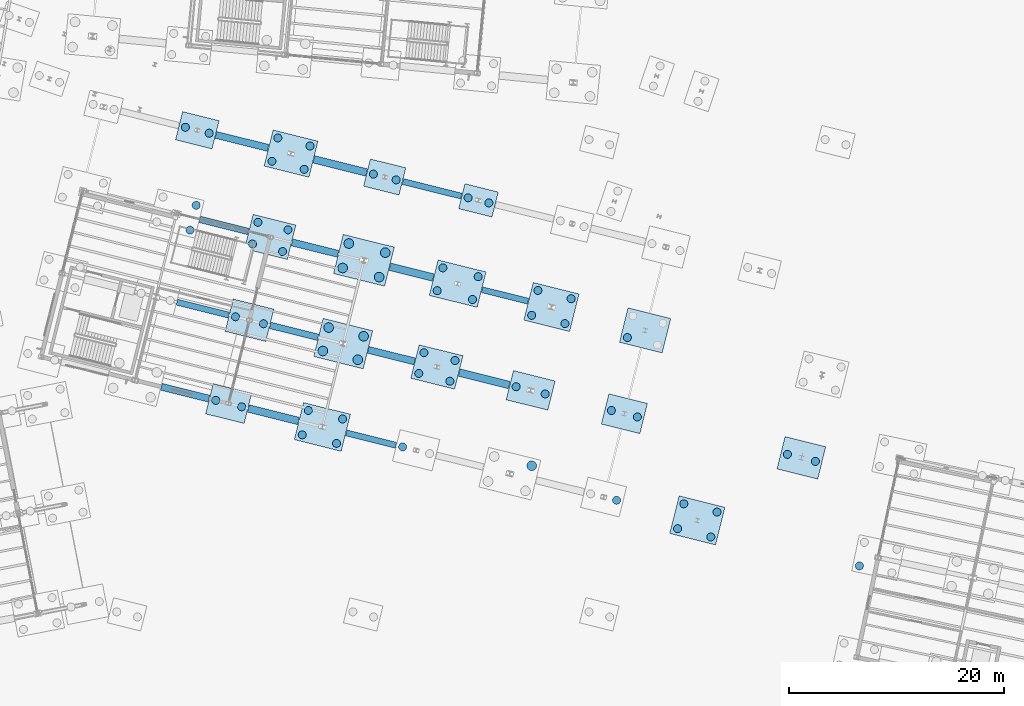
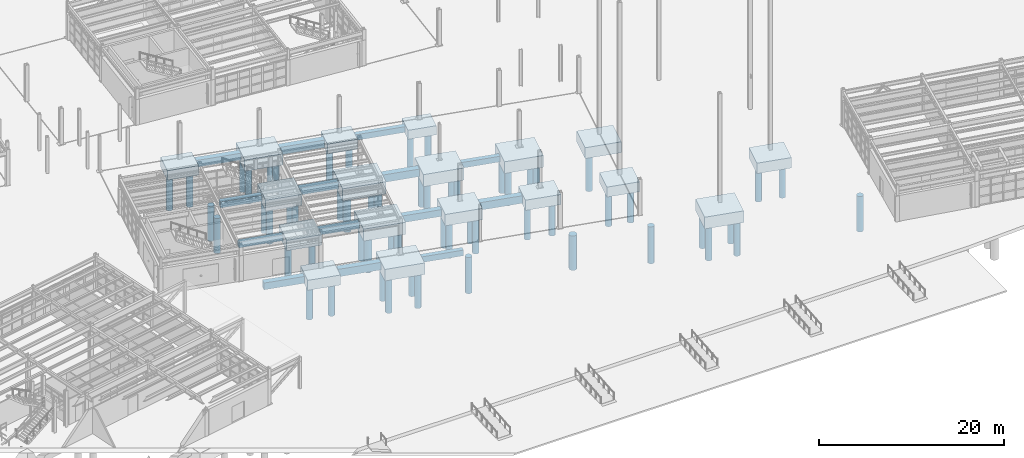
# One storey, part 3 of 108: 59 piles, 32 footings.
"""IFC4 building model written with IfcOpenShell, lengths in metres."""

from ifc_helpers import new_model, si_unit, direction, frame, origin, origin_2d, place, context, subcontext, project, spatial, rectangle, circle, extrude, material, material_profile, profile_set, type_object, element, save


model = new_model("IFC4")

# Units and contexts
model_context = context("Model", 3, precision=1e-05, world=origin(), true_north=direction((0.0, 1.0)))
body_context = subcontext(model_context, "Body", "Model", "MODEL_VIEW")
ifc_project = project(units=[si_unit("LENGTHUNIT", "METRE"), si_unit("AREAUNIT", "SQUARE_METRE"), si_unit("VOLUMEUNIT", "CUBIC_METRE"), si_unit("PLANEANGLEUNIT", "RADIAN"), si_unit("MASSUNIT", "GRAM", prefix="KILO")], contexts=[model_context])

# Site, building, storey
site_placement = place(None, origin())
site = spatial("IfcSite", under=ifc_project, at=site_placement, CompositionType="ELEMENT")
building_placement = place(site_placement, origin())
building = spatial("IfcBuilding", under=site, at=building_placement, Name="Vireo Bluff Cable Station", CompositionType="ELEMENT")
storey_placement = place(building_placement, origin())
storey = spatial("IfcBuildingStorey", under=building, at=storey_placement, Name="L00", CompositionType="ELEMENT", Elevation=0.0)

# Piles
ifc_material_1 = material(Name="Concrete f'c 45 MPa", Category="concrete")
ifc_material_profile_1 = material_profile(ifc_material_1, circle(Radius=0.375, at=origin_2d()), Name="BOREDPILE-750")
ifc_profile_set_1 = profile_set([ifc_material_profile_1], Name="Concrete f'c 45 MPa")
pile_type_1 = type_object("IfcPileType", Name="BOREDPILE-750", PredefinedType="BORED", material=ifc_profile_set_1)
for number, where, z_axis, x_axis, name in (
    (1, (67.86181640625, 49.802001953125, -1.85009765625), (0.0, 0.0, -1.0), (1.0, 0.0, 0.0), "V1 rock-socketed bored pile 20"),
    (2, (68.440185546875, 52.12109375, -1.85009765625), (0.0, 0.0, -1.0), (1.0, 0.0, 0.0), "V1 rock-socketed bored pile 21"),
):
    element("IfcPile", number, at=place(storey_placement, frame(where, z_axis=z_axis, x_axis=x_axis)), inside=storey, type_object=pile_type_1, Name=name, PredefinedType="BORED", context=body_context, shape_type="SweptSolid", body=[
        extrude(circle(Radius=0.375, at=origin_2d()), origin(), (0.0, 0.0, 1.0), 4.64990234375),
    ])
for number, where, z_axis, x_axis, name in (
    (3, (67.427734375, 59.38671875, -1.550048828125), (0.0, 0.0, -1.0), (1.0, 0.0, 0.0), "V1 rock-socketed bored pile 23"),
    (4, (69.649658203125, 58.832763671875, -1.550048828125), (0.0, 0.0, -1.0), (1.0, 0.0, 0.0), "V1 rock-socketed bored pile 24"),
):
    element("IfcPile", number, at=place(storey_placement, frame(where, z_axis=z_axis, x_axis=x_axis)), inside=storey, type_object=pile_type_1, Name=name, PredefinedType="BORED", context=body_context, shape_type="SweptSolid", body=[
        extrude(circle(Radius=0.375, at=origin_2d()), origin(), (0.0, 0.0, 1.0), 4.949951171875),
    ])
for number, where, z_axis, x_axis, name in (
    (5, (70.25732421875, 33.946533203125, -1.6201171875), (0.0, 0.0, -1.0), (1.0, 0.0, 0.0), "V1 rock-socketed bored pile 25"),
    (6, (72.67333984375, 33.34423828125, -1.6201171875), (0.0, 0.0, -1.0), (1.0, 0.0, 0.0), "V1 rock-socketed bored pile 26"),
):
    element("IfcPile", number, at=place(storey_placement, frame(where, z_axis=z_axis, x_axis=x_axis)), inside=storey, type_object=pile_type_1, Name=name, PredefinedType="BORED", context=body_context, shape_type="SweptSolid", body=[
        extrude(circle(Radius=0.375, at=origin_2d()), origin(), (0.0, 0.0, 1.0), 4.8798828125),
    ])
for number, where, z_axis, x_axis, name in (
    (7, (72.095703125, 41.733154296875, -1.679931640625), (0.0, 0.0, -1.0), (1.0, 0.0, 0.0), "V1 rock-socketed bored pile 27"),
    (8, (74.705810546875, 41.082275390625, -1.679931640625), (0.0, 0.0, -1.0), (1.0, 0.0, 0.0), "V1 rock-socketed bored pile 28"),
):
    element("IfcPile", number, at=place(storey_placement, frame(where, z_axis=z_axis, x_axis=x_axis)), inside=storey, type_object=pile_type_1, Name=name, PredefinedType="BORED", context=body_context, shape_type="SweptSolid", body=[
        extrude(circle(Radius=0.375, at=origin_2d()), origin(), (0.0, 0.0, 1.0), 4.820068359375),
    ])
for number, where, z_axis, x_axis, name in (
    (9, (73.68115234375, 48.505859375, -1.739990234375), (0.0, 0.0, -1.0), (1.0, 0.0, 0.0), "V1 rock-socketed bored pile 29"),
    (10, (76.4853515625, 47.806640625, -1.739990234375), (0.0, 0.0, -1.0), (1.0, 0.0, 0.0), "V1 rock-socketed bored pile 30"),
    (11, (76.990966796875, 49.83447265625, -1.739990234375), (0.0, 0.0, -1.0), (1.0, 0.0, 0.0), "V1 rock-socketed bored pile 31"),
    (12, (74.186767578125, 50.53369140625, -1.739990234375), (0.0, 0.0, -1.0), (1.0, 0.0, 0.0), "V1 rock-socketed bored pile 32"),
):
    element("IfcPile", number, at=place(storey_placement, frame(where, z_axis=z_axis, x_axis=x_axis)), inside=storey, type_object=pile_type_1, Name=name, PredefinedType="BORED", context=body_context, shape_type="SweptSolid", body=[
        extrude(circle(Radius=0.375, at=origin_2d()), origin(), (0.0, 0.0, 1.0), 4.760009765625),
    ])
for number, where, z_axis, x_axis, name in (
    (13, (75.50146484375, 56.219482421875, -1.780029296875), (0.0, 0.0, -1.0), (1.0, 0.0, 0.0), "V1 rock-socketed bored pile 33"),
    (14, (78.49951171875, 55.471923828125, -1.780029296875), (0.0, 0.0, -1.0), (1.0, 0.0, 0.0), "V1 rock-socketed bored pile 34"),
    (15, (79.04150390625, 57.6455078125, -1.780029296875), (0.0, 0.0, -1.0), (1.0, 0.0, 0.0), "V1 rock-socketed bored pile 35"),
    (16, (76.043212890625, 58.39306640625, -1.780029296875), (0.0, 0.0, -1.0), (1.0, 0.0, 0.0), "V1 rock-socketed bored pile 36"),
):
    element("IfcPile", number, at=place(storey_placement, frame(where, z_axis=z_axis, x_axis=x_axis)), inside=storey, type_object=pile_type_1, Name=name, PredefinedType="BORED", context=body_context, shape_type="SweptSolid", body=[
        extrude(circle(Radius=0.375, at=origin_2d()), origin(), (0.0, 0.0, 1.0), 4.719970703125),
    ])
for number, where, z_axis, x_axis, name in (
    (17, (78.31884765625, 30.730712890625, -1.820068359375), (0.0, 0.0, -1.0), (1.0, 0.0, 0.0), "V1 rock-socketed bored pile 37"),
    (18, (81.510986328125, 29.934814453125, -1.820068359375), (0.0, 0.0, -1.0), (1.0, 0.0, 0.0), "V1 rock-socketed bored pile 38"),
    (19, (82.0771484375, 32.205322265625, -1.820068359375), (0.0, 0.0, -1.0), (1.0, 0.0, 0.0), "V1 rock-socketed bored pile 39"),
    (20, (78.885009765625, 33.001220703125, -1.820068359375), (0.0, 0.0, -1.0), (1.0, 0.0, 0.0), "V1 rock-socketed bored pile 40"),
):
    element("IfcPile", number, at=place(storey_placement, frame(where, z_axis=z_axis, x_axis=x_axis)), inside=storey, type_object=pile_type_1, Name=name, PredefinedType="BORED", context=body_context, shape_type="SweptSolid", body=[
        extrude(circle(Radius=0.375, at=origin_2d()), origin(), (0.0, 0.0, 1.0), 4.679931640625),
    ])
for number, where, z_axis, x_axis, name in (
    (21, (84.941650390625, 55.02001953125, -1.60009765625), (0.0, 0.0, -1.0), (1.0, 0.0, 0.0), "V1 rock-socketed bored pile 49"),
    (22, (87.066650390625, 54.490234375, -1.60009765625), (0.0, 0.0, -1.0), (1.0, 0.0, 0.0), "V1 rock-socketed bored pile 50"),
):
    element("IfcPile", number, at=place(storey_placement, frame(where, z_axis=z_axis, x_axis=x_axis)), inside=storey, type_object=pile_type_1, Name=name, PredefinedType="BORED", context=body_context, shape_type="SweptSolid", body=[
        extrude(circle(Radius=0.375, at=origin_2d()), origin(), (0.0, 0.0, 1.0), 4.89990234375),
    ])
pile_1_placement = place(storey_placement, frame((87.674072265625, 29.60400390625, -1.699951171875), z_axis=(0.0, 0.0, -1.0), x_axis=(1.0, 0.0, 0.0)))
element("IfcPile", 23, at=pile_1_placement, inside=storey, type_object=pile_type_1, Name="V1 rock-socketed bored pile 51", PredefinedType="BORED", context=body_context, shape_type="SweptSolid", body=[
    extrude(circle(Radius=0.375, at=origin_2d()), origin(), (0.0, 0.0, 1.0), 4.800048828125),
])
for number, where, z_axis, x_axis, name in (
    (24, (89.1748046875, 36.449462890625, -1.800048828125), (0.0, 0.0, -1.0), (1.0, 0.0, 0.0), "V1 rock-socketed bored pile 53"),
    (25, (92.075927734375, 35.72607421875, -1.800048828125), (0.0, 0.0, -1.0), (1.0, 0.0, 0.0), "V1 rock-socketed bored pile 54"),
    (26, (92.557373046875, 37.656982421875, -1.800048828125), (0.0, 0.0, -1.0), (1.0, 0.0, 0.0), "V1 rock-socketed bored pile 55"),
    (27, (89.65625, 38.38037109375, -1.800048828125), (0.0, 0.0, -1.0), (1.0, 0.0, 0.0), "V1 rock-socketed bored pile 56"),
):
    element("IfcPile", number, at=place(storey_placement, frame(where, z_axis=z_axis, x_axis=x_axis)), inside=storey, type_object=pile_type_1, Name=name, PredefinedType="BORED", context=body_context, shape_type="SweptSolid", body=[
        extrude(circle(Radius=0.375, at=origin_2d()), origin(), (0.0, 0.0, 1.0), 4.699951171875),
    ])
for number, where, z_axis, x_axis, name in (
    (28, (90.891845703125, 44.1630859375, -1.89990234375), (0.0, 0.0, -1.0), (1.0, 0.0, 0.0), "V1 rock-socketed bored pile 57"),
    (29, (94.18115234375, 43.343017578125, -1.89990234375), (0.0, 0.0, -1.0), (1.0, 0.0, 0.0), "V1 rock-socketed bored pile 58"),
    (30, (94.7109375, 45.468017578125, -1.89990234375), (0.0, 0.0, -1.0), (1.0, 0.0, 0.0), "V1 rock-socketed bored pile 59"),
    (31, (91.421630859375, 46.2880859375, -1.89990234375), (0.0, 0.0, -1.0), (1.0, 0.0, 0.0), "V1 rock-socketed bored pile 60"),
):
    element("IfcPile", number, at=place(storey_placement, frame(where, z_axis=z_axis, x_axis=x_axis)), inside=storey, type_object=pile_type_1, Name=name, PredefinedType="BORED", context=body_context, shape_type="SweptSolid", body=[
        extrude(circle(Radius=0.375, at=origin_2d()), origin(), (0.0, 0.0, 1.0), 4.60009765625),
    ])
for number, where, z_axis, x_axis, name in (
    (32, (93.771240234375, 52.818603515625, -1.5), (0.0, 0.0, -1.0), (1.0, 0.0, 0.0), "V1 rock-socketed bored pile 61"),
    (33, (95.7021484375, 52.337158203125, -1.5), (0.0, 0.0, -1.0), (1.0, 0.0, 0.0), "V1 rock-socketed bored pile 62"),
):
    element("IfcPile", number, at=place(storey_placement, frame(where, z_axis=z_axis, x_axis=x_axis)), inside=storey, type_object=pile_type_1, Name=name, PredefinedType="BORED", context=body_context, shape_type="SweptSolid", body=[
        extrude(circle(Radius=0.375, at=origin_2d()), origin(), (0.0, 0.0, 1.0), 5.0),
    ])
for number, where, z_axis, x_axis, name in (
    (34, (98.2451171875, 35.21337890625, -1.64990234375), (0.0, 0.0, -1.0), (1.0, 0.0, 0.0), "V1 rock-socketed bored pile 67"),
    (35, (100.9521484375, 34.538330078125, -1.64990234375), (0.0, 0.0, -1.0), (1.0, 0.0, 0.0), "V1 rock-socketed bored pile 68"),
):
    element("IfcPile", number, at=place(storey_placement, frame(where, z_axis=z_axis, x_axis=x_axis)), inside=storey, type_object=pile_type_1, Name=name, PredefinedType="BORED", context=body_context, shape_type="SweptSolid", body=[
        extrude(circle(Radius=0.375, at=origin_2d()), origin(), (0.0, 0.0, 1.0), 4.85009765625),
    ])
for number, where, z_axis, x_axis, name in (
    (36, (99.697265625, 41.864501953125, -1.85009765625), (0.0, 0.0, -1.0), (1.0, 0.0, 0.0), "V1 rock-socketed bored pile 69"),
    (37, (102.79248046875, 41.0927734375, -1.85009765625), (0.0, 0.0, -1.0), (1.0, 0.0, 0.0), "V1 rock-socketed bored pile 70"),
    (38, (103.370849609375, 43.411865234375, -1.85009765625), (0.0, 0.0, -1.0), (1.0, 0.0, 0.0), "V1 rock-socketed bored pile 71"),
    (39, (100.275634765625, 44.18359375, -1.85009765625), (0.0, 0.0, -1.0), (1.0, 0.0, 0.0), "V1 rock-socketed bored pile 72"),
):
    element("IfcPile", number, at=place(storey_placement, frame(where, z_axis=z_axis, x_axis=x_axis)), inside=storey, type_object=pile_type_1, Name=name, PredefinedType="BORED", context=body_context, shape_type="SweptSolid", body=[
        extrude(circle(Radius=0.375, at=origin_2d()), origin(), (0.0, 0.0, 1.0), 4.64990234375),
    ])
pile_2_placement = place(storey_placement, frame((107.60400390625, 24.635009765625, -1.6201171875), z_axis=(0.0, 0.0, -1.0), x_axis=(1.0, 0.0, 0.0)))
element("IfcPile", 40, at=pile_2_placement, inside=storey, type_object=pile_type_1, Name="V1 rock-socketed bored pile 76", PredefinedType="BORED", context=body_context, shape_type="SweptSolid", body=[
    extrude(circle(Radius=0.375, at=origin_2d()), origin(), (0.0, 0.0, 1.0), 4.8798828125),
])
pile_3_placement = place(storey_placement, frame((130.23095703125, 18.51806640625, -1.81005859375), z_axis=(0.0, 0.0, -1.0), x_axis=(1.0, 0.0, 0.0)))
element("IfcPile", 41, at=pile_3_placement, inside=storey, type_object=pile_type_1, Name="V5E rock-socketed bored pile 333", PredefinedType="BORED", context=body_context, shape_type="SweptSolid", body=[
    extrude(circle(Radius=0.375, at=origin_2d()), origin(), (0.0, 0.0, 1.0), 4.68994140625),
])
for number, where, z_axis, x_axis, name in (
    (42, (113.2919921875, 21.9853515625, -1.8798828125), (0.0, 0.0, -1.0), (1.0, 0.0, 0.0), "PORTAL rock-socketed bored pile 369"),
    (43, (116.38720703125, 21.213623046875, -1.8798828125), (0.0, 0.0, -1.0), (1.0, 0.0, 0.0), "PORTAL rock-socketed bored pile 370"),
    (44, (116.96533203125, 23.532470703125, -1.8798828125), (0.0, 0.0, -1.0), (1.0, 0.0, 0.0), "PORTAL rock-socketed bored pile 371"),
    (45, (113.8701171875, 24.30419921875, -1.8798828125), (0.0, 0.0, -1.0), (1.0, 0.0, 0.0), "PORTAL rock-socketed bored pile 372"),
):
    element("IfcPile", number, at=place(storey_placement, frame(where, z_axis=z_axis, x_axis=x_axis)), inside=storey, type_object=pile_type_1, Name=name, PredefinedType="BORED", context=body_context, shape_type="SweptSolid", body=[
        extrude(circle(Radius=0.375, at=origin_2d()), origin(), (0.0, 0.0, 1.0), 4.6201171875),
    ])
for number, where, z_axis, x_axis, name in (
    (46, (107.123291015625, 32.999755859375, -1.6201171875), (0.0, 0.0, -1.0), (1.0, 0.0, 0.0), "PYLON rock-socketed bored pile 375"),
    (47, (109.539306640625, 32.3974609375, -1.6201171875), (0.0, 0.0, -1.0), (1.0, 0.0, 0.0), "PYLON rock-socketed bored pile 376"),
):
    element("IfcPile", number, at=place(storey_placement, frame(where, z_axis=z_axis, x_axis=x_axis)), inside=storey, type_object=pile_type_1, Name=name, PredefinedType="BORED", context=body_context, shape_type="SweptSolid", body=[
        extrude(circle(Radius=0.375, at=origin_2d()), origin(), (0.0, 0.0, 1.0), 4.8798828125),
    ])
for number, where, z_axis, x_axis, name in (
    (48, (123.521240234375, 28.911376953125, -1.7099609375), (0.0, 0.0, -1.0), (1.0, 0.0, 0.0), "PYLON rock-socketed bored pile 377"),
    (49, (126.13134765625, 28.260498046875, -1.7099609375), (0.0, 0.0, -1.0), (1.0, 0.0, 0.0), "PYLON rock-socketed bored pile 378"),
):
    element("IfcPile", number, at=place(storey_placement, frame(where, z_axis=z_axis, x_axis=x_axis)), inside=storey, type_object=pile_type_1, Name=name, PredefinedType="BORED", context=body_context, shape_type="SweptSolid", body=[
        extrude(circle(Radius=0.375, at=origin_2d()), origin(), (0.0, 0.0, 1.0), 4.7900390625),
    ])
pile_4_placement = place(storey_placement, frame((108.61181640625, 39.796630859375, -1.739990234375), z_axis=(0.0, 0.0, -1.0), x_axis=(1.0, 0.0, 0.0)))
element("IfcPile", 50, at=pile_4_placement, inside=storey, type_object=pile_type_1, Name="PYLON rock-socketed bored pile 379", PredefinedType="BORED", context=body_context, shape_type="SweptSolid", body=[
    extrude(circle(Radius=0.375, at=origin_2d()), origin(), (0.0, 0.0, 1.0), 4.760009765625),
])
ifc_material_profile_2 = material_profile(ifc_material_1, circle(Radius=0.449951171875, at=origin_2d()), Name="BOREDPILE-900")
ifc_profile_set_2 = profile_set([ifc_material_profile_2], Name="Concrete f'c 45 MPa")
pile_type_2 = type_object("IfcPileType", Name="BOREDPILE-900", PredefinedType="BORED", material=ifc_profile_set_2)
for number, where, z_axis, x_axis, name in (
    (51, (80.23583984375, 38.544189453125, -1.8798828125), (0.0, 0.0, -1.0), (1.0, 0.0, 0.0), "V1 rock-socketed bored pile 41"),
    (52, (83.486328125, 37.733642578125, -1.8798828125), (0.0, 0.0, -1.0), (1.0, 0.0, 0.0), "V1 rock-socketed bored pile 42"),
    (53, (84.03076171875, 39.916748046875, -1.8798828125), (0.0, 0.0, -1.0), (1.0, 0.0, 0.0), "V1 rock-socketed bored pile 43"),
    (54, (80.7802734375, 40.727294921875, -1.8798828125), (0.0, 0.0, -1.0), (1.0, 0.0, 0.0), "V1 rock-socketed bored pile 44"),
):
    element("IfcPile", number, at=place(storey_placement, frame(where, z_axis=z_axis, x_axis=x_axis)), inside=storey, type_object=pile_type_2, Name=name, PredefinedType="BORED", context=body_context, shape_type="SweptSolid", body=[
        extrude(circle(Radius=0.449951171875, at=origin_2d()), origin(), (0.0, 0.0, 1.0), 4.6201171875),
    ])
for number, where, z_axis, x_axis, name in (
    (55, (82.08642578125, 46.276123046875, -1.919921875), (0.0, 0.0, -1.0), (1.0, 0.0, 0.0), "V1 rock-socketed bored pile 45"),
    (56, (85.482421875, 45.429443359375, -1.919921875), (0.0, 0.0, -1.0), (1.0, 0.0, 0.0), "V1 rock-socketed bored pile 46"),
    (57, (86.051025390625, 47.70947265625, -1.919921875), (0.0, 0.0, -1.0), (1.0, 0.0, 0.0), "V1 rock-socketed bored pile 47"),
    (58, (82.655029296875, 48.556396484375, -1.919921875), (0.0, 0.0, -1.0), (1.0, 0.0, 0.0), "V1 rock-socketed bored pile 48"),
):
    element("IfcPile", number, at=place(storey_placement, frame(where, z_axis=z_axis, x_axis=x_axis)), inside=storey, type_object=pile_type_2, Name=name, PredefinedType="BORED", context=body_context, shape_type="SweptSolid", body=[
        extrude(circle(Radius=0.449951171875, at=origin_2d()), origin(), (0.0, 0.0, 1.0), 4.580078125),
    ])
pile_5_placement = place(storey_placement, frame((99.7001953125, 27.842529296875, -1.949951171875), z_axis=(0.0, 0.0, -1.0), x_axis=(1.0, 0.0, 0.0)))
element("IfcPile", 59, at=pile_5_placement, inside=storey, type_object=pile_type_2, Name="V1 rock-socketed bored pile 65", PredefinedType="BORED", context=body_context, shape_type="SweptSolid", body=[
    extrude(circle(Radius=0.449951171875, at=origin_2d()), origin(), (0.0, 0.0, 1.0), 4.550048828125),
])

# Footings
ifc_material_2 = material(Name="Concrete f'c 40 MPa", Category="concrete")
ifc_material_profile_3 = material_profile(ifc_material_2, rectangle(XDim=0.550048828125, YDim=0.75, at=origin_2d()), Name="GRADEBM-550X750")
ifc_profile_set_3 = profile_set([ifc_material_profile_3], Name="Concrete f'c 40 MPa")
footing_type_1 = type_object("IfcFootingType", Name="GRADEBM-550X750", PredefinedType="FOOTING_BEAM", material=ifc_profile_set_3)
footing_1_placement = place(storey_placement, frame((82.419921875, 30.9140625, -1.030029296875), z_axis=(0.970304859718, -0.241885260419, 0.0), x_axis=(0.241885260419, 0.970304859718, 0.0)))
element("IfcFooting", 60, at=footing_1_placement, inside=storey, type_object=footing_type_1, Name="V1 foundation grade beam 4", PredefinedType="FOOTING_BEAM", context=body_context, shape_type="SweptSolid", body=[
    extrude(rectangle(XDim=0.550048828125, YDim=0.75, at=origin_2d()), origin(), (0.0, 0.0, 1.0), 4.77001953125),
])
footing_2_placement = place(storey_placement, frame((66.6474609375, 43.091552734375, -0.945068359375), z_axis=(0.970292574883, -0.241934534796, 0.0), x_axis=(0.241934534796, 0.970292574883, 0.0)))
element("IfcFooting", 61, at=footing_2_placement, inside=storey, type_object=footing_type_1, Name="V1 foundation grade beam 8", PredefinedType="FOOTING_BEAM", context=body_context, shape_type="SweptSolid", body=[
    extrude(rectangle(XDim=0.550048828125, YDim=0.75, at=origin_2d()), origin(), (0.0, 0.0, 1.0), 4.969970703125),
])
footing_3_placement = place(storey_placement, frame((95.07177734375, 44.24951171875, -1.070068359375), z_axis=(0.970295013512, -0.241924754322, 0.0), x_axis=(0.241924754322, 0.970295013512, 0.0)))
element("IfcFooting", 62, at=footing_3_placement, inside=storey, type_object=footing_type_1, Name="V1 foundation grade beam 16", PredefinedType="FOOTING_BEAM", context=body_context, shape_type="SweptSolid", body=[
    extrude(rectangle(XDim=0.550048828125, YDim=0.75, at=origin_2d()), origin(), (0.0, 0.0, 1.0), 4.420166015625),
])
footing_4_placement = place(storey_placement, frame((87.6923828125, 54.334228515625, -0.919921875), z_axis=(0.970295627073, -0.24192229348, 0.0), x_axis=(0.24192229348, 0.970295627073, 0.0)))
element("IfcFooting", 63, at=footing_4_placement, inside=storey, type_object=footing_type_1, Name="V1 foundation grade beam 20", PredefinedType="FOOTING_BEAM", context=body_context, shape_type="SweptSolid", body=[
    extrude(rectangle(XDim=0.550048828125, YDim=0.75, at=origin_2d()), origin(), (0.0, 0.0, 1.0), 5.6201171875),
])
ifc_material_profile_4 = material_profile(ifc_material_2, rectangle(XDim=0.60009765625, YDim=0.800048828125, at=origin_2d()), Name="GRADEBM-600X800")
ifc_profile_set_4 = profile_set([ifc_material_profile_4], Name="Concrete f'c 40 MPa")
footing_type_2 = type_object("IfcFootingType", Name="GRADEBM-600X800", PredefinedType="FOOTING_BEAM", material=ifc_profile_set_4)
footing_5_placement = place(storey_placement, frame((75.33154296875, 40.92626953125, -0.9599609375), z_axis=(0.970298569676, -0.24191049106, 0.0), x_axis=(0.24191049106, 0.970298569676, 0.0)))
element("IfcFooting", 64, at=footing_5_placement, inside=storey, type_object=footing_type_2, Name="V1 foundation grade beam 9", PredefinedType="FOOTING_BEAM", context=body_context, shape_type="SweptSolid", body=[
    extrude(rectangle(XDim=0.60009765625, YDim=0.800048828125, at=origin_2d()), origin(), (0.0, 0.0, 1.0), 4.594970703125),
])
footing_6_placement = place(storey_placement, frame((68.77685546875, 50.805419921875, -1.044921875), z_axis=(0.97030220216, -0.241895920765, 0.0), x_axis=(0.241895920765, 0.97030220216, 0.0)))
element("IfcFooting", 65, at=footing_6_placement, inside=storey, type_object=footing_type_2, Name="V1 foundation grade beam 13", PredefinedType="FOOTING_BEAM", context=body_context, shape_type="SweptSolid", body=[
    extrude(rectangle(XDim=0.60009765625, YDim=0.800048828125, at=origin_2d()), origin(), (0.0, 0.0, 1.0), 4.669921875),
])
ifc_material_profile_5 = material_profile(ifc_material_2, rectangle(XDim=0.64990234375, YDim=0.89990234375, at=origin_2d()), Name="GRADEBM-650X900")
ifc_profile_set_5 = profile_set([ifc_material_profile_5], Name="Concrete f'c 40 MPa")
footing_type_3 = type_object("IfcFootingType", Name="GRADEBM-650X900", PredefinedType="FOOTING_BEAM", material=ifc_profile_set_5)
footing_7_placement = place(storey_placement, frame((65.197265625, 35.208251953125, -1.094970703125), z_axis=(0.97028688691, -0.241957345602, 0.0), x_axis=(0.241957345602, 0.97028688691, 0.0)))
element("IfcFooting", 66, at=footing_7_placement, inside=storey, type_object=footing_type_3, Name="V1 foundation grade beam 2", PredefinedType="FOOTING_BEAM", context=body_context, shape_type="SweptSolid", body=[
    extrude(rectangle(XDim=0.64990234375, YDim=0.89990234375, at=origin_2d()), origin(), (0.0, 0.0, 1.0), 4.56982421875),
])
footing_8_placement = place(storey_placement, frame((84.4765625, 38.646240234375, -1.06005859375), z_axis=(0.970290936434, -0.241941105796, 0.0), x_axis=(0.241941105796, 0.970290936434, 0.0)))
element("IfcFooting", 67, at=footing_8_placement, inside=storey, type_object=footing_type_3, Name="V1 foundation grade beam 10", PredefinedType="FOOTING_BEAM", context=body_context, shape_type="SweptSolid", body=[
    extrude(rectangle(XDim=0.64990234375, YDim=0.89990234375, at=origin_2d()), origin(), (0.0, 0.0, 1.0), 4.445068359375),
])
footing_9_placement = place(storey_placement, frame((77.364013671875, 48.66455078125, -0.989990234375), z_axis=(0.970291780541, -0.241937720527, 0.0), x_axis=(0.241937720527, 0.970291780541, 0.0)))
element("IfcFooting", 68, at=footing_9_placement, inside=storey, type_object=footing_type_3, Name="V1 foundation grade beam 14", PredefinedType="FOOTING_BEAM", context=body_context, shape_type="SweptSolid", body=[
    extrude(rectangle(XDim=0.64990234375, YDim=0.89990234375, at=origin_2d()), origin(), (0.0, 0.0, 1.0), 4.419921875),
])
footing_10_placement = place(storey_placement, frame((70.275634765625, 58.6767578125, -0.89501953125), z_axis=(0.970299641721, -0.241906191064, 0.0), x_axis=(0.241906191064, 0.970299641721, 0.0)))
element("IfcFooting", 69, at=footing_10_placement, inside=storey, type_object=footing_type_3, Name="V1 foundation grade beam 18", PredefinedType="FOOTING_BEAM", context=body_context, shape_type="SweptSolid", body=[
    extrude(rectangle(XDim=0.64990234375, YDim=0.89990234375, at=origin_2d()), origin(), (0.0, 0.0, 1.0), 5.02001953125),
])
ifc_material_profile_6 = material_profile(ifc_material_2, rectangle(XDim=0.699951171875, YDim=1.0, at=origin_2d()), Name="GRADEBM-700X1000")
ifc_profile_set_6 = profile_set([ifc_material_profile_6], Name="Concrete f'c 40 MPa")
footing_type_4 = type_object("IfcFootingType", Name="GRADEBM-700X1000", PredefinedType="FOOTING_BEAM", material=ifc_profile_set_6)
for number, where, z_axis, x_axis, name in (
    (70, (73.299072265625, 33.188232421875, -0.929931640625), (0.970300203048, -0.241903939539, 0.0), (0.241903939539, 0.970300203048, 0.0), "V1 foundation grade beam 3"),
    (71, (92.9423828125, 36.535400390625, -1.02001953125), (0.970300203048, -0.241903939539, 0.0), (0.241903939539, 0.970300203048, 0.0), "V1 foundation grade beam 11"),
):
    element("IfcFooting", number, at=place(storey_placement, frame(where, z_axis=z_axis, x_axis=x_axis)), inside=storey, type_object=footing_type_4, Name=name, PredefinedType="FOOTING_BEAM", context=body_context, shape_type="SweptSolid", body=[
        extrude(rectangle(XDim=0.699951171875, YDim=1.0, at=origin_2d()), origin(), (0.0, 0.0, 1.0), 4.820068359375),
    ])
footing_11_placement = place(storey_placement, frame((86.48486328125, 46.390380859375, -1.080078125), z_axis=(0.970297279098, -0.241915667485, 0.0), x_axis=(0.241915667485, 0.970297279098, 0.0)))
element("IfcFooting", 72, at=footing_11_placement, inside=storey, type_object=footing_type_4, Name="V1 foundation grade beam 15", PredefinedType="FOOTING_BEAM", context=body_context, shape_type="SweptSolid", body=[
    extrude(rectangle(XDim=0.699951171875, YDim=1.0, at=origin_2d()), origin(), (0.0, 0.0, 1.0), 4.169921875),
])
footing_12_placement = place(storey_placement, frame((79.396484375, 56.402587890625, -1.010009765625), z_axis=(0.970306568273, -0.241878406572, 0.0), x_axis=(0.241878406572, 0.970306568273, 0.0)))
element("IfcFooting", 73, at=footing_12_placement, inside=storey, type_object=footing_type_4, Name="V1 foundation grade beam 19", PredefinedType="FOOTING_BEAM", context=body_context, shape_type="SweptSolid", body=[
    extrude(rectangle(XDim=0.699951171875, YDim=1.0, at=origin_2d()), origin(), (0.0, 0.0, 1.0), 5.070068359375),
])
footing_type_5 = type_object("IfcFootingType", Name="PCAP-320X240X120", PredefinedType="PILE_CAP", material=ifc_material_2)
footing_13_placement = place(storey_placement, frame((94.73681640625, 52.577880859375, -1.6201171875), z_axis=(0.0, 0.0, 1.0), x_axis=(0.970295726276, -0.2419218956, 0.0)))
element("IfcFooting", 74, at=footing_13_placement, inside=storey, type_object=footing_type_5, Name="V1 pile cap 20", PredefinedType="PILE_CAP", context=body_context, shape_type="SweptSolid", body=[
    extrude(rectangle(XDim=3.199951171875, YDim=2.39990234375, at=origin_2d()), origin(), (0.0, 0.0, 1.0), 1.199951171875),
])
footing_type_6 = type_object("IfcFootingType", Name="PCAP-340X260X130", PredefinedType="PILE_CAP", material=ifc_material_2)
footing_14_placement = place(storey_placement, frame((86.004150390625, 54.755126953125, -1.72021484375), z_axis=(0.0, 0.0, 1.0), x_axis=(0.970295726276, -0.2419218956, 0.0)))
element("IfcFooting", 75, at=footing_14_placement, inside=storey, type_object=footing_type_6, Name="V1 pile cap 16", PredefinedType="PILE_CAP", context=body_context, shape_type="SweptSolid", body=[
    extrude(rectangle(XDim=3.39990234375, YDim=2.60009765625, at=origin_2d()), origin(), (0.0, 0.0, 1.0), 1.300048828125),
])
footing_type_7 = type_object("IfcFootingType", Name="PCAP-350X270X125", PredefinedType="PILE_CAP", material=ifc_material_2)
footing_15_placement = place(storey_placement, frame((68.538818359375, 59.10986328125, -1.669921875), z_axis=(0.0, 0.0, 1.0), x_axis=(0.970295726276, -0.2419218956, 0.0)))
element("IfcFooting", 76, at=footing_15_placement, inside=storey, type_object=footing_type_7, Name="V1 pile cap 8", PredefinedType="PILE_CAP", context=body_context, shape_type="SweptSolid", body=[
    extrude(rectangle(XDim=3.5, YDim=2.699951171875, at=origin_2d()), origin(), (0.0, 0.0, 1.0), 1.25),
])
footing_type_8 = type_object("IfcFootingType", Name="PCAP-370X290X132", PredefinedType="PILE_CAP", material=ifc_material_2)
for number, where, z_axis, x_axis, name in (
    (77, (71.46533203125, 33.6455078125, -1.740234375), (0.0, 0.0, 1.0), (0.970295726276, -0.2419218956, 0.0), "V1 pile cap 9"),
    (78, (108.331298828125, 32.698486328125, -1.740234375), (0.0, 0.0, 1.0), (0.970295726276, -0.2419218956, 0.0), "PYLON pile cap 121"),
):
    element("IfcFooting", number, at=place(storey_placement, frame(where, z_axis=z_axis, x_axis=x_axis)), inside=storey, type_object=footing_type_8, Name=name, PredefinedType="PILE_CAP", context=body_context, shape_type="SweptSolid", body=[
        extrude(rectangle(XDim=3.699951171875, YDim=2.89990234375, at=origin_2d()), origin(), (0.0, 0.0, 1.0), 1.320068359375),
    ])
footing_type_9 = type_object("IfcFootingType", Name="PCAP-390X310X138", PredefinedType="PILE_CAP", material=ifc_material_2)
for number, where, z_axis, x_axis, name in (
    (79, (73.400634765625, 41.40771484375, -1.800048828125), (0.0, 0.0, 1.0), (0.970295726276, -0.2419218956, 0.0), "V1 pile cap 10"),
    (80, (124.826416015625, 28.5859375, -1.829833984375), (0.0, 0.0, 1.0), (0.970295726276, -0.2419218956, 0.0), "PYLON pile cap 122"),
):
    element("IfcFooting", number, at=place(storey_placement, frame(where, z_axis=z_axis, x_axis=x_axis)), inside=storey, type_object=footing_type_9, Name=name, PredefinedType="PILE_CAP", context=body_context, shape_type="SweptSolid", body=[
        extrude(rectangle(XDim=3.89990234375, YDim=3.10009765625, at=origin_2d()), origin(), (0.0, 0.0, 1.0), 1.3798828125),
    ])
footing_type_10 = type_object("IfcFootingType", Name="PCAP-400X280X135", PredefinedType="PILE_CAP", material=ifc_material_2)
footing_16_placement = place(storey_placement, frame((99.5986328125, 34.8759765625, -1.77001953125), z_axis=(0.0, 0.0, 1.0), x_axis=(0.970295726276, -0.2419218956, 0.0)))
element("IfcFooting", 81, at=footing_16_placement, inside=storey, type_object=footing_type_10, Name="V1 pile cap 22", PredefinedType="PILE_CAP", context=body_context, shape_type="SweptSolid", body=[
    extrude(rectangle(XDim=4.0, YDim=2.800048828125, at=origin_2d()), origin(), (0.0, 0.0, 1.0), 1.35009765625),
])
footing_type_11 = type_object("IfcFootingType", Name="PCAP-409X330X144", PredefinedType="PILE_CAP", material=ifc_material_2)
for number, where, z_axis, x_axis, name in (
    (82, (75.336181640625, 49.170166015625, -1.85986328125), (0.0, 0.0, 1.0), (0.970295726276, -0.2419218956, 0.0), "V1 pile cap 11"),
    (83, (110.2666015625, 40.4609375, -1.85986328125), (0.0, 0.0, 1.0), (0.970295726276, -0.2419218956, 0.0), "PYLON pile cap 123"),
):
    element("IfcFooting", number, at=place(storey_placement, frame(where, z_axis=z_axis, x_axis=x_axis)), inside=storey, type_object=footing_type_11, Name=name, PredefinedType="PILE_CAP", context=body_context, shape_type="SweptSolid", body=[
        extrude(rectangle(XDim=4.10009765625, YDim=3.300048828125, at=origin_2d()), origin(), (0.0, 0.0, 1.0), 1.43994140625),
    ])
footing_type_12 = type_object("IfcFootingType", Name="PCAP-420X320X150", PredefinedType="PILE_CAP", material=ifc_material_2)
footing_17_placement = place(storey_placement, frame((90.865966796875, 37.05322265625, -1.919921875), z_axis=(0.0, 0.0, 1.0), x_axis=(0.970295726276, -0.2419218956, 0.0)))
element("IfcFooting", 84, at=footing_17_placement, inside=storey, type_object=footing_type_12, Name="V1 pile cap 18", PredefinedType="PILE_CAP", context=body_context, shape_type="SweptSolid", body=[
    extrude(rectangle(XDim=4.199951171875, YDim=3.199951171875, at=origin_2d()), origin(), (0.0, 0.0, 1.0), 1.5),
])
footing_type_13 = type_object("IfcFootingType", Name="PCAP-430X345X148", PredefinedType="PILE_CAP", material=ifc_material_2)
footing_18_placement = place(storey_placement, frame((77.271484375, 56.9326171875, -1.89990234375), z_axis=(0.0, 0.0, 1.0), x_axis=(0.970295726276, -0.2419218956, 0.0)))
element("IfcFooting", 85, at=footing_18_placement, inside=storey, type_object=footing_type_13, Name="V1 pile cap 12", PredefinedType="PILE_CAP", context=body_context, shape_type="SweptSolid", body=[
    extrude(rectangle(XDim=4.300048828125, YDim=3.449951171875, at=origin_2d()), origin(), (0.0, 0.0, 1.0), 1.47998046875),
])
footing_type_14 = type_object("IfcFootingType", Name="PCAP-440X360X155", PredefinedType="PILE_CAP", material=ifc_material_2)
for number, where, z_axis, x_axis, name in (
    (86, (101.5341796875, 42.63818359375, -1.97021484375), (0.0, 0.0, 1.0), (0.970295726276, -0.2419218956, 0.0), "V1 pile cap 23"),
    (87, (115.128662109375, 22.759033203125, -2.0), (0.0, 0.0, 1.0), (0.970295726276, -0.2419218956, 0.0), "PORTAL pile cap 119"),
):
    element("IfcFooting", number, at=place(storey_placement, frame(where, z_axis=z_axis, x_axis=x_axis)), inside=storey, type_object=footing_type_14, Name=name, PredefinedType="PILE_CAP", context=body_context, shape_type="SweptSolid", body=[
        extrude(rectangle(XDim=4.39990234375, YDim=3.60009765625, at=origin_2d()), origin(), (0.0, 0.0, 1.0), 1.550048828125),
    ])
footing_type_15 = type_object("IfcFootingType", Name="PCAP-450X355X152", PredefinedType="PILE_CAP", material=ifc_material_2)
footing_19_placement = place(storey_placement, frame((80.197998046875, 31.468017578125, -1.93994140625), z_axis=(0.0, 0.0, 1.0), x_axis=(0.970295726276, -0.2419218956, 0.0)))
element("IfcFooting", 88, at=footing_19_placement, inside=storey, type_object=footing_type_15, Name="V1 pile cap 13", PredefinedType="PILE_CAP", context=body_context, shape_type="SweptSolid", body=[
    extrude(rectangle(XDim=4.5, YDim=3.550048828125, at=origin_2d()), origin(), (0.0, 0.0, 1.0), 1.52001953125),
])
footing_type_16 = type_object("IfcFootingType", Name="PCAP-459X340X160", PredefinedType="PILE_CAP", material=ifc_material_2)
footing_20_placement = place(storey_placement, frame((92.801513671875, 44.8154296875, -2.02001953125), z_axis=(0.0, 0.0, 1.0), x_axis=(0.970295726276, -0.2419218956, 0.0)))
element("IfcFooting", 89, at=footing_20_placement, inside=storey, type_object=footing_type_16, Name="V1 pile cap 19", PredefinedType="PILE_CAP", context=body_context, shape_type="SweptSolid", body=[
    extrude(rectangle(XDim=4.60009765625, YDim=3.39990234375, at=origin_2d()), origin(), (0.0, 0.0, 1.0), 1.60009765625),
])
footing_type_17 = type_object("IfcFootingType", Name="PCAP-475X365X158", PredefinedType="PILE_CAP", material=ifc_material_2)
footing_21_placement = place(storey_placement, frame((82.13330078125, 39.23046875, -2.0), z_axis=(0.0, 0.0, 1.0), x_axis=(0.970295726276, -0.2419218956, 0.0)))
element("IfcFooting", 90, at=footing_21_placement, inside=storey, type_object=footing_type_17, Name="V1 pile cap 14", PredefinedType="PILE_CAP", context=body_context, shape_type="SweptSolid", body=[
    extrude(rectangle(XDim=4.75, YDim=3.64990234375, at=origin_2d()), origin(), (0.0, 0.0, 1.0), 1.580078125),
])
footing_type_18 = type_object("IfcFootingType", Name="PCAP-490X375X162", PredefinedType="PILE_CAP", material=ifc_material_2)
footing_22_placement = place(storey_placement, frame((84.06884765625, 46.992919921875, -2.0400390625), z_axis=(0.0, 0.0, 1.0), x_axis=(0.970295726276, -0.2419218956, 0.0)))
element("IfcFooting", 91, at=footing_22_placement, inside=storey, type_object=footing_type_18, Name="V1 pile cap 15", PredefinedType="PILE_CAP", context=body_context, shape_type="SweptSolid", body=[
    extrude(rectangle(XDim=4.89990234375, YDim=3.75, at=origin_2d()), origin(), (0.0, 0.0, 1.0), 1.6201171875),
])

save(model, "model.ifc")
